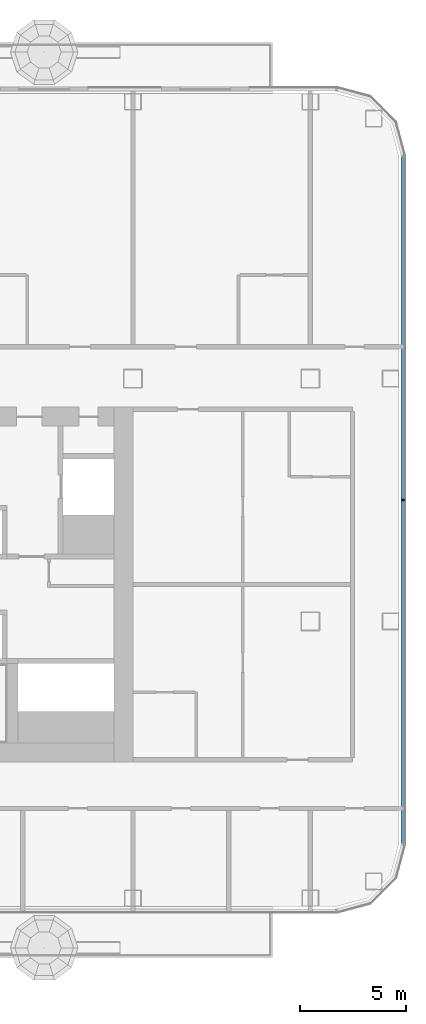
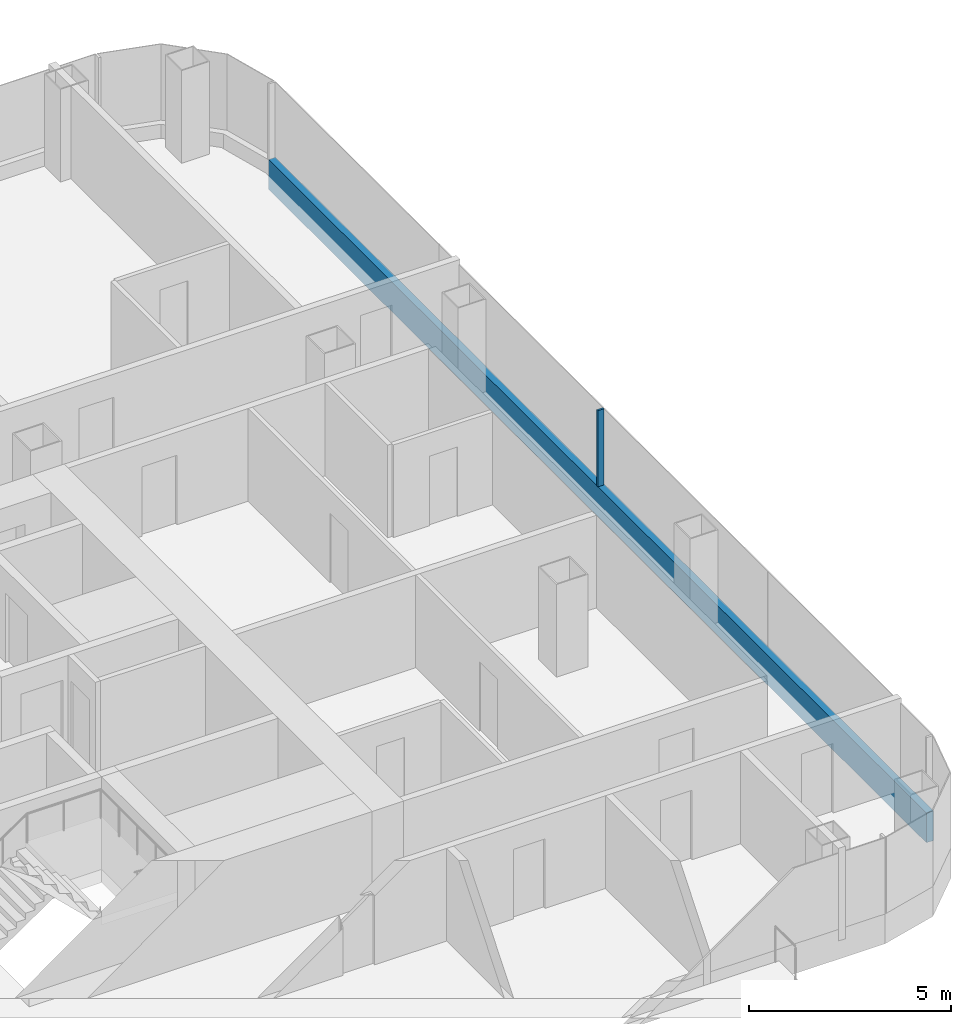
# One storey, part 10 of 34: 2 members, 1 element without a shape of its own.
"""IFC4 building model written with IfcOpenShell, lengths in metres."""

from ifc_helpers import new_model, si_unit, direction, frame, origin, origin_2d, place, context, subcontext, project, spatial, rectangle, extrude, material, layer, layer_set, material_profile, profile_set, type_object, element, aggregate, save


model = new_model("IFC4")

# Units and contexts
model_context = context("Model", 3, precision=1e-05, world=origin(), true_north=direction((0.0, 1.0)))
body_context = subcontext(model_context, "Body", "Model", "MODEL_VIEW")
ifc_project = project(units=[si_unit("LENGTHUNIT", "METRE"), si_unit("AREAUNIT", "SQUARE_METRE"), si_unit("VOLUMEUNIT", "CUBIC_METRE"), si_unit("PLANEANGLEUNIT", "RADIAN"), si_unit("MASSUNIT", "GRAM", prefix="KILO")], contexts=[model_context])

# Site, building, storey
site_placement = place(None, origin())
site = spatial("IfcSite", under=ifc_project, at=site_placement, CompositionType="ELEMENT")
building_placement = place(site_placement, origin())
building = spatial("IfcBuilding", under=site, at=building_placement, Name="Hakoniwa Tower and Hamabe Station Hall", CompositionType="ELEMENT")
storey_placement = place(building_placement, frame((0.0, 0.0, 107.39990234375)))
storey = spatial("IfcBuildingStorey", under=building, at=storey_placement, Name="L30", CompositionType="ELEMENT", Elevation=107.39990234375)

# Curtain wall, members
ifc_material_1 = material(Name="Dark low-e laminated glass", Category="glass")
ifc_layer = layer(ifc_material_1, 0.199951171875)
ifc_layer_set = layer_set([ifc_layer], Name="CW-1 UNITISED GUEST")
curtain_wall_type = type_object("IfcCurtainWallType", Name="CW-1 UNITISED GUEST", PredefinedType="NOTDEFINED", material=ifc_layer_set)
curtain_wall_placement = place(storey_placement, origin())
curtain_wall = element("IfcCurtainWall", 1, at=curtain_wall_placement, inside=storey, type_object=curtain_wall_type, Name="CW-1 curtain wall", PredefinedType="NOTDEFINED")
ifc_material_2 = material(Name="Aluminium 6063-T5 black anodised", Category="aluminium")
ifc_material_profile_1 = material_profile(ifc_material_2, rectangle(XDim=0.199951171875, YDim=0.89990234375, at=origin_2d()), Name="CW SLAB-EDGE BAND 900X200")
ifc_profile_set_1 = profile_set([ifc_material_profile_1], Name="Aluminium 6063-T5 black anodised")
member_type_1 = type_object("IfcMemberType", Name="CW SLAB-EDGE BAND 900X200", PredefinedType="USERDEFINED", material=ifc_profile_set_1)
member_1_placement = place(storey_placement, frame((46.39990234375, -12.28955078125, -0.099853515625), z_axis=(0.0, 1.0, 0.0), x_axis=(-1.0, 0.0, 0.0)))
member_1 = element("IfcMember", 2, at=member_1_placement, type_object=member_type_1, Name="CW-1 transom", ObjectType="TRANSOM", PredefinedType="USERDEFINED", context=body_context, shape_type="SweptSolid", body=[
    extrude(rectangle(XDim=0.199951171875, YDim=0.89990234375, at=origin_2d()), origin(), (0.0, 0.0, 1.0), 32.5791015625),
])
ifc_material_3 = material(Name="Aluminium 6063-T5 black anodised", Category="aluminium")
ifc_material_profile_2 = material_profile(ifc_material_3, rectangle(XDim=0.06005859375, YDim=0.179931640625, at=origin_2d()), Name="CW-1 MULLION 60X180")
ifc_profile_set_2 = profile_set([ifc_material_profile_2], Name="Aluminium 6063-T5 black anodised")
member_type_2 = type_object("IfcMemberType", Name="CW-1 MULLION 60X180", PredefinedType="MULLION", material=ifc_profile_set_2)
member_2_placement = place(storey_placement, frame((46.382080078125, 4.0, 0.35009765625), z_axis=(0.0, 0.0, 1.0), x_axis=(0.0, 1.0, 0.0)))
member_2 = element("IfcMember", 3, at=member_2_placement, type_object=member_type_2, Name="CW-1 mullion", PredefinedType="MULLION", context=body_context, shape_type="SweptSolid", body=[
    extrude(rectangle(XDim=0.06005859375, YDim=0.179931640625, at=origin_2d()), origin(), (0.0, 0.0, 1.0), 2.300048828125),
])
aggregate(curtain_wall, [member_2, member_1])

save(model, "model.ifc")
